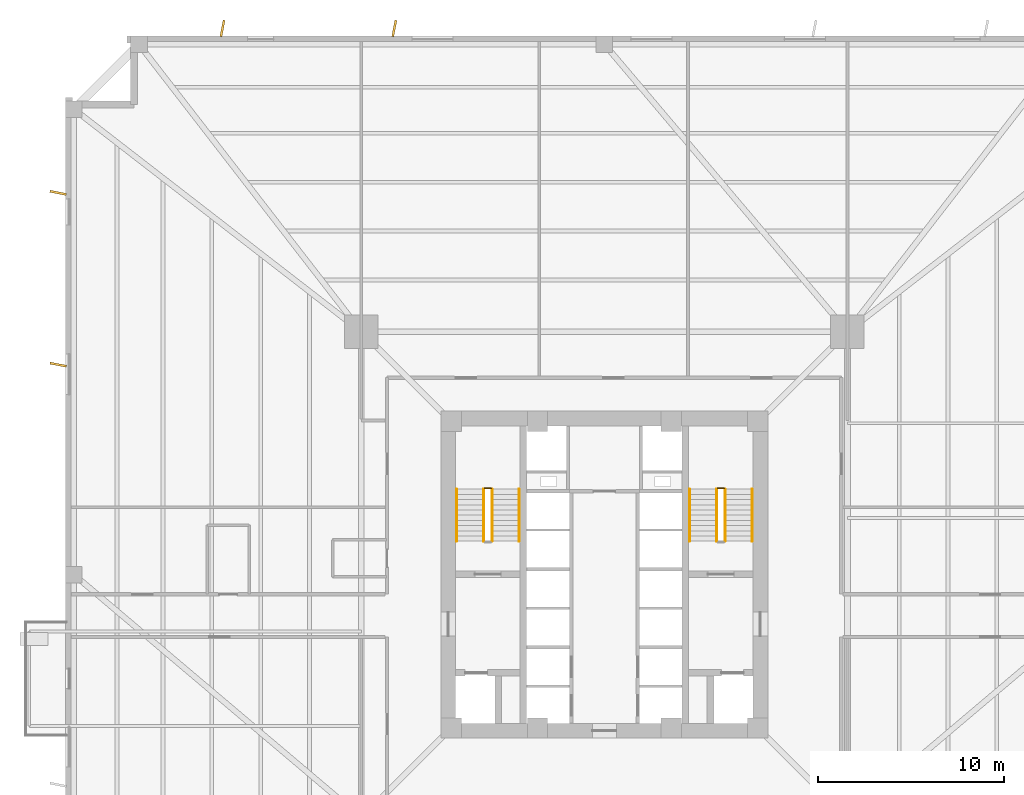
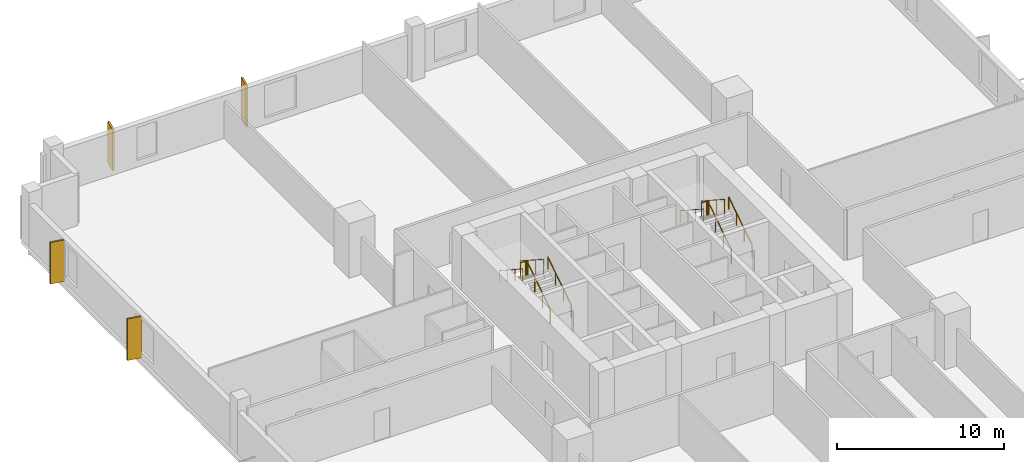
# One storey, part 8 of 9: 10 railings, 4 coverings.
"""IFC4 building model written with IfcOpenShell, lengths in metres."""

from ifc_helpers import new_model, si_unit, direction, frame, origin, origin_2d, place, context, subcontext, project, spatial, rectangle, circle, extrude, source, transform, mapped, material, layer, layer_set, type_object, element, save


model = new_model("IFC4")

# Units and contexts
model_context = context("Model", 3, precision=1e-05, world=origin(), true_north=direction((0.0, 1.0)))
body_context = subcontext(model_context, "Body", "Model", "MODEL_VIEW")
ifc_project = project(units=[si_unit("LENGTHUNIT", "METRE"), si_unit("AREAUNIT", "SQUARE_METRE"), si_unit("VOLUMEUNIT", "CUBIC_METRE"), si_unit("PLANEANGLEUNIT", "RADIAN"), si_unit("MASSUNIT", "GRAM", prefix="KILO"), si_unit("THERMODYNAMICTEMPERATUREUNIT", "KELVIN")], contexts=[model_context])

# Site, building, storey
site_placement = place(None, origin())
site = spatial("IfcSite", under=ifc_project, at=site_placement, CompositionType="ELEMENT")
building_placement = place(site_placement, origin())
building = spatial("IfcBuilding", under=site, at=building_placement, Name="Kosmvard Interchange Tower", CompositionType="ELEMENT")
storey_placement = place(building_placement, frame((0.0, 0.0, 70.0)))
storey = spatial("IfcBuildingStorey", under=building, at=storey_placement, Name="L16", CompositionType="ELEMENT", Elevation=70.0)

# Coverings
ifc_material_1 = material(Name="Architectural anodised aluminium", Category="aluminium")
ifc_layer = layer(ifc_material_1, 0.1201171875, Name="Architectural anodised aluminium")
ifc_layer_set = layer_set([ifc_layer], Name="Architectural anodised aluminium")
covering_type = type_object("IfcCoveringType", Name="Rotating Vertical Sun-Breaker Fin 900x120 Aluminium", PredefinedType="CLADDING", material=ifc_layer_set)
shared_shape_1 = source(origin(), body_context, "Body", "SweptSolid", [
    extrude(rectangle(XDim=0.89990234375, YDim=0.1201171875, at=origin_2d()), origin(), (0.0, 0.0, 1.0), 3.0400390625),
])
for number, where, z_axis, x_axis, name in (
    (1, (-11.3037109375, 29.39990234375, 0.0400390625), (0.0, 0.0, 1.0), (0.191494253877, 0.981493734433, 0.0), "L16 Rotating Vertical Sun-Breaker Fin 11"),
    (2, (-20.552001953125, 29.39990234375, 0.0400390625), (0.0, 0.0, 1.0), (0.191494253877, 0.981493734433, 0.0), "L16 Rotating Vertical Sun-Breaker Fin 12"),
    (3, (-29.39990234375, 20.552001953125, 0.0400390625), (0.0, 0.0, 1.0), (-0.981493734433, 0.191494253877, 0.0), "L16 Rotating Vertical Sun-Breaker Fin 13"),
    (4, (-29.39990234375, 11.3037109375, 0.0400390625), (0.0, 0.0, 1.0), (-0.981493734433, 0.191494253877, 0.0), "L16 Rotating Vertical Sun-Breaker Fin 14"),
):
    element("IfcCovering", number, at=place(storey_placement, frame(where, z_axis=z_axis, x_axis=x_axis)), inside=storey, type_object=covering_type, Name=name, PredefinedType="CLADDING", context=body_context, shape_type="MappedRepresentation", body=[
        mapped(shared_shape_1, transform((0.0, 0.0, 0.0), scale=1.0)),
    ])

# Railings
ifc_material_2 = material(Name="Steel S355", Category="steel")
railing_type_1 = type_object("IfcRailingType", Name="Stair & Terrace Safety Guardrail 1100 Steel", PredefinedType="GUARDRAIL", material=ifc_material_2)
shared_shape_2 = source(origin(), body_context, "Body", "SweptSolid", [
    extrude(circle(Radius=0.02392578125, at=origin_2d()), frame((0.0, 0.0, 1.076171875), z_axis=(-1.0, 0.0, 0.0), x_axis=(0.0, -1.0, 0.0)), (0.0, 0.0, 1.0), 0.35986328125),
    extrude(circle(Radius=0.02099609375, at=origin_2d()), origin(), (0.0, 0.0, 1.0), 1.052001953125),
    extrude(circle(Radius=0.02099609375, at=origin_2d()), frame((-0.35986328125, 0.0, 0.0)), (0.0, 0.0, 1.0), 1.052001953125),
])
for number, where, name in (
    (5, (-6.090087890625, 4.64990234375, 2.0), "L16 ST-1 stair guard 2"),
    (6, (6.449951171875, 4.64990234375, 2.0), "L16 ST-2 stair guard 2"),
):
    element("IfcRailing", number, at=place(storey_placement, frame(where)), inside=storey, type_object=railing_type_1, Name=name, PredefinedType="GUARDRAIL", context=body_context, shape_type="MappedRepresentation", body=[
        mapped(shared_shape_2, transform((0.0, 0.0, 0.0), scale=1.0)),
    ])
shared_shape_3 = source(origin(), body_context, "Body", "SweptSolid", [
    extrude(circle(Radius=0.02392578125, at=origin_2d()), frame((0.0, 0.0, 1.076171875), z_axis=(0.0, 0.838705829183, 0.544584733623), x_axis=(-1.0, 0.0, 0.0)), (0.0, 0.0, 1.0), 3.338623046875),
    extrude(circle(Radius=0.02099609375, at=origin_2d()), origin(), (0.0, 0.0, 1.0), 1.052001953125),
    extrude(circle(Radius=0.02099609375, at=origin_2d()), frame((0.0, 0.933349609375, 0.60595703125)), (0.0, 0.0, 1.0), 1.052001953125),
    extrude(circle(Radius=0.02099609375, at=origin_2d()), frame((0.0, 1.86669921875, 1.212158203125)), (0.0, 0.0, 1.0), 1.052001953125),
    extrude(circle(Radius=0.02099609375, at=origin_2d()), frame((0.0, 2.800048828125, 1.818115234375)), (0.0, 0.0, 1.0), 1.052001953125),
])
for number, where, name in (
    (7, (-6.0400390625, 1.800048828125, 0.181884765625), "L16 ST-1 stair guard 1"),
    (8, (6.5, 1.800048828125, 0.181884765625), "L16 ST-2 stair guard 1"),
):
    element("IfcRailing", number, at=place(storey_placement, frame(where)), inside=storey, type_object=railing_type_1, Name=name, PredefinedType="GUARDRAIL", context=body_context, shape_type="MappedRepresentation", body=[
        mapped(shared_shape_3, transform((0.0, 0.0, 0.0), scale=1.0)),
    ])
shared_shape_4 = source(origin(), body_context, "Body", "SweptSolid", [
    extrude(circle(Radius=0.02392578125, at=origin_2d()), frame((0.0, 0.0, 1.076171875), z_axis=(0.0, -0.838705829183, 0.544584733623), x_axis=(1.0, 0.0, 0.0)), (0.0, 0.0, 1.0), 3.338623046875),
    extrude(circle(Radius=0.02099609375, at=origin_2d()), origin(), (0.0, 0.0, 1.0), 1.052001953125),
    extrude(circle(Radius=0.02099609375, at=origin_2d()), frame((0.0, -0.933349609375, 0.60595703125)), (0.0, 0.0, 1.0), 1.052001953125),
    extrude(circle(Radius=0.02099609375, at=origin_2d()), frame((0.0, -1.86669921875, 1.212158203125)), (0.0, 0.0, 1.0), 1.052001953125),
    extrude(circle(Radius=0.02099609375, at=origin_2d()), frame((0.0, -2.800048828125, 1.818115234375)), (0.0, 0.0, 1.0), 1.052001953125),
])
for number, where, name in (
    (9, (-6.5, 4.60009765625, 2.181884765625), "L16 ST-1 stair guard 3"),
    (10, (6.0400390625, 4.60009765625, 2.181884765625), "L16 ST-2 stair guard 3"),
):
    element("IfcRailing", number, at=place(storey_placement, frame(where)), inside=storey, type_object=railing_type_1, Name=name, PredefinedType="GUARDRAIL", context=body_context, shape_type="MappedRepresentation", body=[
        mapped(shared_shape_4, transform((0.0, 0.0, 0.0), scale=1.0)),
    ])
railing_type_2 = type_object("IfcRailingType", Name="Wall-Mounted Stair Handrail 900 Steel", PredefinedType="HANDRAIL", material=ifc_material_2)
shared_shape_5 = source(origin(), body_context, "Body", "SweptSolid", [
    extrude(circle(Radius=0.02392578125, at=origin_2d()), frame((0.0, 0.0, 0.8759765625), z_axis=(0.0, 0.838705829183, 0.544584733623), x_axis=(-1.0, 0.0, 0.0)), (0.0, 0.0, 1.0), 3.338623046875),
    extrude(circle(Radius=0.02099609375, at=origin_2d()), origin(), (0.0, 0.0, 1.0), 0.851806640625),
    extrude(circle(Radius=0.02099609375, at=origin_2d()), frame((0.0, 0.933349609375, 0.60595703125)), (0.0, 0.0, 1.0), 0.851806640625),
    extrude(circle(Radius=0.02099609375, at=origin_2d()), frame((0.0, 1.86669921875, 1.212158203125)), (0.0, 0.0, 1.0), 0.851806640625),
    extrude(circle(Radius=0.02099609375, at=origin_2d()), frame((0.0, 2.800048828125, 1.818115234375)), (0.0, 0.0, 1.0), 0.851806640625),
])
for number, where, name in (
    (11, (-4.590087890625, 1.800048828125, 0.181884765625), "L16 ST-1 stair handrail 1"),
    (12, (7.949951171875, 1.800048828125, 0.181884765625), "L16 ST-2 stair handrail 1"),
):
    element("IfcRailing", number, at=place(storey_placement, frame(where)), inside=storey, type_object=railing_type_2, Name=name, PredefinedType="HANDRAIL", context=body_context, shape_type="MappedRepresentation", body=[
        mapped(shared_shape_5, transform((0.0, 0.0, 0.0), scale=1.0)),
    ])
shared_shape_6 = source(origin(), body_context, "Body", "SweptSolid", [
    extrude(circle(Radius=0.02392578125, at=origin_2d()), frame((0.0, 0.0, 0.8759765625), z_axis=(0.0, -0.838705829183, 0.544584733623), x_axis=(1.0, 0.0, 0.0)), (0.0, 0.0, 1.0), 3.338623046875),
    extrude(circle(Radius=0.02099609375, at=origin_2d()), origin(), (0.0, 0.0, 1.0), 0.851806640625),
    extrude(circle(Radius=0.02099609375, at=origin_2d()), frame((0.0, -0.933349609375, 0.60595703125)), (0.0, 0.0, 1.0), 0.851806640625),
    extrude(circle(Radius=0.02099609375, at=origin_2d()), frame((0.0, -1.86669921875, 1.212158203125)), (0.0, 0.0, 1.0), 0.851806640625),
    extrude(circle(Radius=0.02099609375, at=origin_2d()), frame((0.0, -2.800048828125, 1.818115234375)), (0.0, 0.0, 1.0), 0.851806640625),
])
for number, where, name in (
    (13, (-7.949951171875, 4.60009765625, 2.181884765625), "L16 ST-1 stair handrail 2"),
    (14, (4.590087890625, 4.60009765625, 2.181884765625), "L16 ST-2 stair handrail 2"),
):
    element("IfcRailing", number, at=place(storey_placement, frame(where)), inside=storey, type_object=railing_type_2, Name=name, PredefinedType="HANDRAIL", context=body_context, shape_type="MappedRepresentation", body=[
        mapped(shared_shape_6, transform((0.0, 0.0, 0.0), scale=1.0)),
    ])

save(model, "model.ifc")
